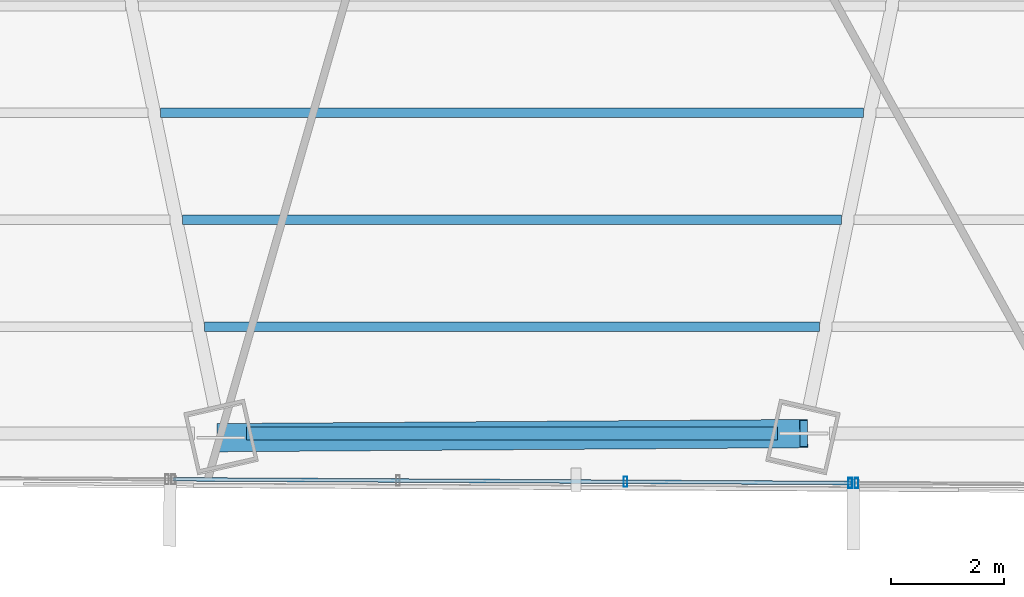
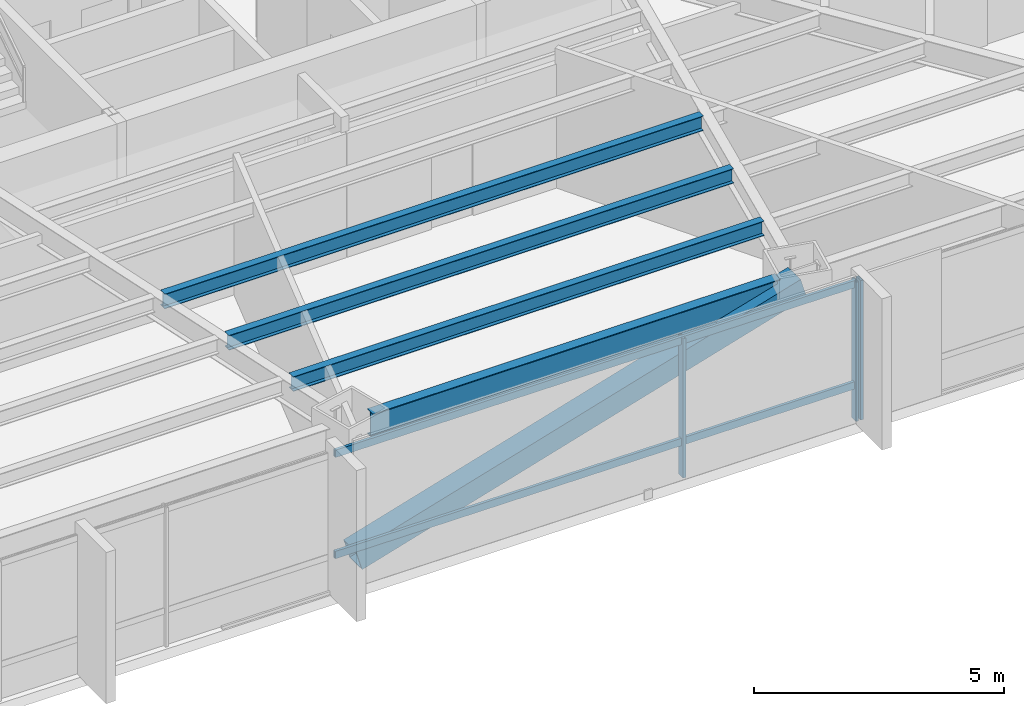
# One storey, part 9 of 35: 6 members, 4 beams, 2 elements without a shape of their own.
"""IFC4 building model written with IfcOpenShell, lengths in metres."""

from ifc_helpers import new_model, si_unit, direction, frame, origin, origin_2d, place, context, subcontext, project, spatial, hollow_rectangle, i_section, extrude, source, transform, mapped, material, material_profile, profile_set, type_object, type_shapes, element, aggregate, save


model = new_model("IFC4")

# Units and contexts
model_context = context("Model", 3, precision=1e-05, world=origin(), true_north=direction((0.0, 1.0)))
body_context = subcontext(model_context, "Body", "Model", "MODEL_VIEW")
ifc_project = project(units=[si_unit("LENGTHUNIT", "METRE"), si_unit("AREAUNIT", "SQUARE_METRE"), si_unit("VOLUMEUNIT", "CUBIC_METRE"), si_unit("PLANEANGLEUNIT", "RADIAN"), si_unit("MASSUNIT", "GRAM", prefix="KILO")], contexts=[model_context])

# Site, building, storey
site_placement = place(None, origin())
site = spatial("IfcSite", under=ifc_project, at=site_placement, CompositionType="ELEMENT")
building_placement = place(site_placement, origin())
building = spatial("IfcBuilding", under=site, at=building_placement, Name="Caelisora Broadcast Tower", CompositionType="ELEMENT")
storey_placement = place(building_placement, frame((0.0, 0.0, 87.14990234375)))
storey = spatial("IfcBuildingStorey", under=building, at=storey_placement, Name="L22", CompositionType="ELEMENT", Elevation=87.14990234375)

# Beams
ifc_material_1 = material(Name="Steel Grade 350 (AS/NZS 3679.1)", Category="steel")
ifc_material_profile_1 = material_profile(ifc_material_1, i_section(OverallWidth=0.22900390625, OverallDepth=0.611572265625, WebThickness=0.011962890625, FlangeThickness=0.01953125, at=origin_2d()), Name="Steel Grade 350 (AS/NZS 3679.1)")
ifc_profile_set_1 = profile_set([ifc_material_profile_1], Name="Steel Grade 350 (AS/NZS 3679.1)")
beam_type_1 = type_object("IfcBeamType", Name="PG03", PredefinedType="BEAM", material=ifc_profile_set_1)
shared_shape_1 = source(origin(), body_context, "Body", "SweptSolid", [
    extrude(i_section(OverallWidth=0.22900390625, OverallDepth=0.611572265625, WebThickness=0.011962890625, FlangeThickness=0.01953125, at=origin_2d()), origin(), (0.0, 0.0, 1.0), 9.40234375),
])
type_shapes(beam_type_1, [shared_shape_1])
beam_1_placement = place(storey_placement, frame((33.298828125, 6.0517578125, 3.09423828125), z_axis=(1.0, 0.0, 0.0), x_axis=(0.0, 1.0, 0.0)))
element("IfcBeam", 1, at=beam_1_placement, inside=storey, type_object=beam_type_1, Name="L22 beam PG03", PredefinedType="BEAM", context=body_context, shape_type="MappedRepresentation", body=[
    mapped(shared_shape_1, transform((0.0, 0.0, 0.0), scale=1.0)),
])
ifc_material_profile_2 = material_profile(ifc_material_1, i_section(OverallWidth=0.172119140625, OverallDepth=0.358642578125, WebThickness=0.008056640625, FlangeThickness=0.012939453125, at=origin_2d()), Name="Steel Grade 350 (AS/NZS 3679.1)")
ifc_profile_set_2 = profile_set([ifc_material_profile_2], Name="Steel Grade 350 (AS/NZS 3679.1)")
beam_type_2 = type_object("IfcBeamType", Name="SB02", PredefinedType="JOIST", material=ifc_profile_set_2)
shared_shape_2 = source(origin(), body_context, "Body", "SweptSolid", [
    extrude(i_section(OverallWidth=0.172119140625, OverallDepth=0.358642578125, WebThickness=0.008056640625, FlangeThickness=0.012939453125, at=origin_2d()), origin(), (0.0, 0.0, 1.0), 12.4345703125),
])
beam_2_placement = place(storey_placement, frame((31.78271484375, 11.725830078125, 3.220703125), z_axis=(1.0, 0.0, 0.0), x_axis=(0.0, 1.0, 0.0)))
element("IfcBeam", 2, at=beam_2_placement, inside=storey, type_object=beam_type_2, Name="L22 beam SB02", PredefinedType="JOIST", context=body_context, shape_type="MappedRepresentation", body=[
    mapped(shared_shape_2, transform((0.0, 0.0, 0.0), scale=1.0)),
])
shared_shape_3 = source(origin(), body_context, "Body", "SweptSolid", [
    extrude(i_section(OverallWidth=0.172119140625, OverallDepth=0.358642578125, WebThickness=0.008056640625, FlangeThickness=0.012939453125, at=origin_2d()), origin(), (0.0, 0.0, 1.0), 11.65478515625),
])
beam_3_placement = place(storey_placement, frame((32.172607421875, 9.83447265625, 3.220703125), z_axis=(1.0, 0.0, 0.0), x_axis=(0.0, 1.0, 0.0)))
element("IfcBeam", 3, at=beam_3_placement, inside=storey, type_object=beam_type_2, Name="L22 beam SB02", PredefinedType="JOIST", context=body_context, shape_type="MappedRepresentation", body=[
    mapped(shared_shape_3, transform((0.0, 0.0, 0.0), scale=1.0)),
])
shared_shape_4 = source(origin(), body_context, "Body", "SweptSolid", [
    extrude(i_section(OverallWidth=0.172119140625, OverallDepth=0.358642578125, WebThickness=0.008056640625, FlangeThickness=0.012939453125, at=origin_2d()), origin(), (0.0, 0.0, 1.0), 10.875),
])
type_shapes(beam_type_2, [shared_shape_2, shared_shape_3, shared_shape_4])
beam_4_placement = place(storey_placement, frame((32.5625, 7.943115234375, 3.220703125), z_axis=(1.0, 0.0, 0.0), x_axis=(0.0, 1.0, 0.0)))
element("IfcBeam", 4, at=beam_4_placement, inside=storey, type_object=beam_type_2, Name="L22 beam SB02", PredefinedType="JOIST", context=body_context, shape_type="MappedRepresentation", body=[
    mapped(shared_shape_4, transform((0.0, 0.0, 0.0), scale=1.0)),
])

# Member
ifc_material_2 = material(Name="Steel Grade 450 L15 (AS/NZS 3678)", Category="steel")
ifc_material_profile_3 = material_profile(ifc_material_2, hollow_rectangle(XDim=0.5, YDim=0.5, WallThickness=0.02001953125, at=origin_2d()), Name="Steel Grade 450 L15 (AS/NZS 3678)")
ifc_profile_set_3 = profile_set([ifc_material_profile_3], Name="Steel Grade 450 L15 (AS/NZS 3678)")
member_type_1 = type_object("IfcMemberType", Name="BR02", PredefinedType="BRACE", material=ifc_profile_set_3)
shared_shape_5 = source(origin(), body_context, "Body", "SweptSolid", [
    extrude(hollow_rectangle(XDim=0.5, YDim=0.5, WallThickness=0.02001953125, at=origin_2d()), origin(), (0.0, 0.0, 1.0), 10.73388671875),
])
type_shapes(member_type_1, [shared_shape_5])
member_1_placement = place(storey_placement, frame((32.855224609375, 5.9794921875, 0.10009765625), z_axis=(0.960125605474, 0.006732456334, 0.279487916994), x_axis=(-0.007011885515, 0.999975416429, 0.0)))
element("IfcMember", 5, at=member_1_placement, inside=storey, type_object=member_type_1, Name="L22 perimeter brace BR02", PredefinedType="BRACE", context=body_context, shape_type="MappedRepresentation", body=[
    mapped(shared_shape_5, transform((0.0, 0.0, 0.0), scale=1.0)),
])

# Curtain wall, member
ifc_material_3 = material(Name="Unitised Aluminium and Low-E Glass Curtain Wall", Category="glass")
curtain_wall_type_1 = type_object("IfcCurtainWallType", Name="CW-Z2", PredefinedType="NOTDEFINED", material=ifc_material_3)
curtain_wall_1_placement = place(storey_placement, origin())
curtain_wall_1 = element("IfcCurtainWall", 6, at=curtain_wall_1_placement, inside=storey, type_object=curtain_wall_type_1, Name="L22 curtain wall CW-Z2", PredefinedType="NOTDEFINED")
ifc_material_4 = material(Name="Aluminium 6063-T6 Anodised Terracotta Bronze", Category="aluminium")
ifc_material_profile_4 = material_profile(ifc_material_4, hollow_rectangle(XDim=0.06494140625, YDim=0.179931640625, WallThickness=0.00341796875, at=origin_2d()), Name="Aluminium 6063-T6 Anodised Terracotta Bronze")
ifc_profile_set_4 = profile_set([ifc_material_profile_4], Name="Aluminium 6063-T6 Anodised Terracotta Bronze")
member_type_2 = type_object("IfcMemberType", Name="CWM-02", PredefinedType="MULLION", material=ifc_profile_set_4)
shared_shape_6 = source(origin(), body_context, "Body", "SweptSolid", [
    extrude(hollow_rectangle(XDim=0.06494140625, YDim=0.179931640625, WallThickness=0.00341796875, at=origin_2d()), origin(), (0.0, 0.0, 1.0), 3.400146484375),
])
type_shapes(member_type_2, [shared_shape_6])
member_2_placement = place(storey_placement, frame((44.095458984375, 5.1767578125, 0.0), z_axis=(0.0, 0.0, 1.0), x_axis=(1.0, 0.0, 0.0)))
member_2 = element("IfcMember", 7, at=member_2_placement, type_object=member_type_2, Name="L22-CW-B05 mullion #3", PredefinedType="MULLION", context=body_context, shape_type="MappedRepresentation", body=[
    mapped(shared_shape_6, transform((0.0, 0.0, 0.0), scale=1.0)),
])
aggregate(curtain_wall_1, [member_2])

# Curtain wall, members
ifc_material_5 = material(Name="Unitised Aluminium Insulated Shadow-Box Spandrel Curtain Wall", Category="aluminium")
curtain_wall_type_2 = type_object("IfcCurtainWallType", Name="CW-SP1", PredefinedType="NOTDEFINED", material=ifc_material_5)
curtain_wall_2_placement = place(storey_placement, origin())
curtain_wall_2 = element("IfcCurtainWall", 8, at=curtain_wall_2_placement, inside=storey, type_object=curtain_wall_type_2, Name="L22 curtain wall CW-SP1", PredefinedType="NOTDEFINED")
member_3_placement = place(storey_placement, frame((43.9853515625, 5.17724609375, 0.0), z_axis=(0.0, 0.0, 1.0), x_axis=(1.0, 0.0, 0.0)))
member_3 = element("IfcMember", 9, at=member_3_placement, type_object=member_type_2, Name="L22-CW-B06 mullion #0", PredefinedType="MULLION", context=body_context, shape_type="MappedRepresentation", body=[
    mapped(shared_shape_6, transform((0.0, 0.0, 0.0), scale=1.0)),
])
member_4_placement = place(storey_placement, frame((40.009033203125, 5.19921875, 0.0), z_axis=(0.0, 0.0, 1.0), x_axis=(1.0, 0.0, 0.0)))
member_4 = element("IfcMember", 10, at=member_4_placement, type_object=member_type_2, Name="L22-CW-B06 mullion #1", PredefinedType="MULLION", context=body_context, shape_type="MappedRepresentation", body=[
    mapped(shared_shape_6, transform((0.0, 0.0, 0.0), scale=1.0)),
])
ifc_material_profile_5 = material_profile(ifc_material_4, hollow_rectangle(XDim=0.06494140625, YDim=0.179931640625, WallThickness=0.00341796875, at=origin_2d()), Name="Aluminium 6063-T6 Anodised Terracotta Bronze")
ifc_profile_set_5 = profile_set([ifc_material_profile_5], Name="Aluminium 6063-T6 Anodised Terracotta Bronze")
member_type_3 = type_object("IfcMemberType", Name="CWT-01", PredefinedType="USERDEFINED", material=ifc_profile_set_5)
shared_shape_7 = source(origin(), body_context, "Body", "SweptSolid", [
    extrude(hollow_rectangle(XDim=0.06494140625, YDim=0.179931640625, WallThickness=0.00341796875, at=origin_2d()), origin(), (0.0, 0.0, 1.0), 11.9794921875),
])
type_shapes(member_type_3, [shared_shape_7])
member_5_placement = place(storey_placement, frame((43.9853515625, 5.17724609375, 0.85009765625), z_axis=(-0.9999848606, 0.005502596702, 0.0), x_axis=(-0.005502596702, -0.9999848606, 0.0)))
member_5 = element("IfcMember", 11, at=member_5_placement, type_object=member_type_3, Name="L22-CW-B06 transom #1", ObjectType="TRANSOM", PredefinedType="USERDEFINED", context=body_context, shape_type="MappedRepresentation", body=[
    mapped(shared_shape_7, transform((0.0, 0.0, 0.0), scale=1.0)),
])
member_6_placement = place(storey_placement, frame((43.9853515625, 5.17724609375, 3.320068359375), z_axis=(-0.9999848606, 0.005502596702, 0.0), x_axis=(-0.005502596702, -0.9999848606, 0.0)))
member_6 = element("IfcMember", 12, at=member_6_placement, type_object=member_type_3, Name="L22-CW-B06 transom #2", ObjectType="TRANSOM", PredefinedType="USERDEFINED", context=body_context, shape_type="MappedRepresentation", body=[
    mapped(shared_shape_7, transform((0.0, 0.0, 0.0), scale=1.0)),
])
aggregate(curtain_wall_2, [member_3, member_4, member_5, member_6])

save(model, "model.ifc")
